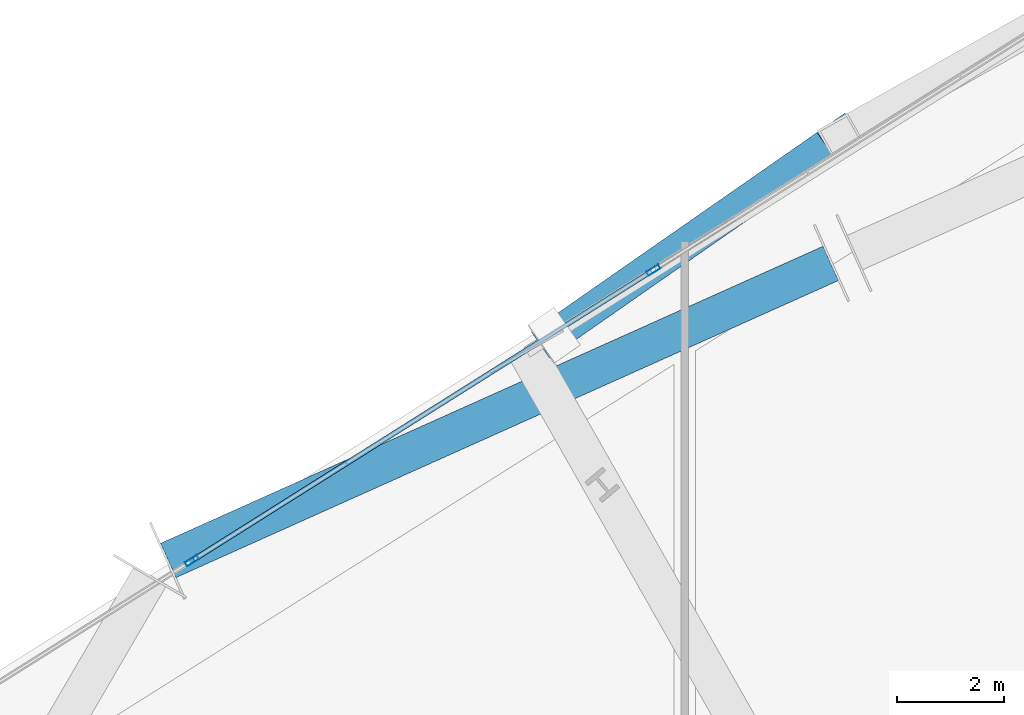
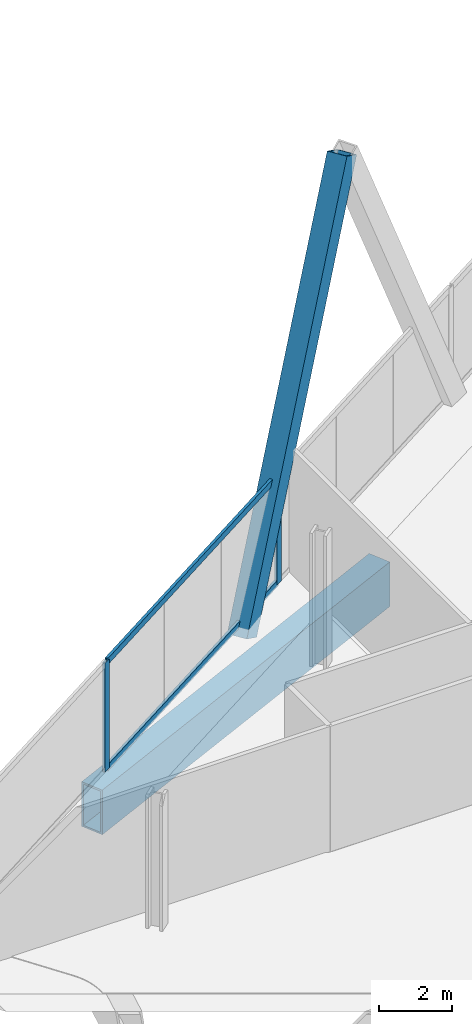
# One storey, part 12 of 29: 5 members, 1 beam, 1 element without a shape of its own.
"""IFC4 building model written with IfcOpenShell, lengths in metres."""

from ifc_helpers import new_model, si_unit, direction, frame, origin, origin_2d, place, context, subcontext, project, spatial, hollow_rectangle, extrude, material, material_profile, profile_set, type_object, element, aggregate, save


model = new_model("IFC4")

# Units and contexts
model_context = context("Model", 3, precision=1e-05, world=origin(), true_north=direction((0.0, 1.0)))
body_context = subcontext(model_context, "Body", "Model", "MODEL_VIEW")
ifc_project = project(units=[si_unit("LENGTHUNIT", "METRE"), si_unit("AREAUNIT", "SQUARE_METRE"), si_unit("VOLUMEUNIT", "CUBIC_METRE"), si_unit("PLANEANGLEUNIT", "RADIAN"), si_unit("MASSUNIT", "GRAM", prefix="KILO")], contexts=[model_context])

# Site, building, storey
site_placement = place(None, origin())
site = spatial("IfcSite", under=ifc_project, at=site_placement, CompositionType="ELEMENT")
building_placement = place(site_placement, origin())
building = spatial("IfcBuilding", under=site, at=building_placement, Name="Haldenkirk Collegiate Tower", CompositionType="ELEMENT")
storey_placement = place(building_placement, frame((0.0, 0.0, 136.199951171875)))
storey = spatial("IfcBuildingStorey", under=building, at=storey_placement, Name="L33", CompositionType="ELEMENT", Elevation=136.199951171875)

# Beam
ifc_material_1 = material(Name="Steel ASTM A572 Grade 50", Category="steel")
ifc_material_profile_1 = material_profile(ifc_material_1, hollow_rectangle(XDim=0.699951171875, YDim=1.5, WallThickness=0.06005859375, at=origin_2d()), Name="BOX1500X700X60")
ifc_profile_set_1 = profile_set([ifc_material_profile_1], Name="Steel ASTM A572 Grade 50")
beam_type = type_object("IfcBeamType", Name="BM-TRANSFER-BOX1500X700X60", PredefinedType="BEAM", material=ifc_profile_set_1)
beam_placement = place(storey_placement, frame((26.7138671875, 46.111083984375, -1.14990234375), z_axis=(-0.912476765144, -0.409128528793, 0.0), x_axis=(0.409128528793, -0.912476765144, 0.0)))
element("IfcBeam", 1, at=beam_placement, inside=storey, type_object=beam_type, Name="L33 sky-lobby perimeter transfer girder 11", PredefinedType="BEAM", context=body_context, shape_type="SweptSolid", body=[
    extrude(hollow_rectangle(XDim=0.699951171875, YDim=1.5, WallThickness=0.06005859375, at=origin_2d()), origin(), (0.0, 0.0, 1.0), 13.512939453125),
])

# Curtain wall, members
ifc_material_2 = material(Name="Anodised architectural bronze aluminium", Category="aluminium")
curtain_wall_type = type_object("IfcCurtainWallType", Name="CW-SYS4-SKYGARDEN", PredefinedType="USERDEFINED", material=ifc_material_2)
curtain_wall_placement = place(storey_placement, origin())
curtain_wall = element("IfcCurtainWall", 2, at=curtain_wall_placement, inside=storey, type_object=curtain_wall_type, Name="L33 Sky-garden tall bronze curtain wall", ObjectType="UNITISED CURTAIN WALL", PredefinedType="USERDEFINED")
ifc_material_profile_2 = material_profile(ifc_material_2, hollow_rectangle(XDim=0.090087890625, YDim=0.260009765625, WallThickness=0.0048828125, at=origin_2d()), Name="CW-MUL-04")
ifc_profile_set_2 = profile_set([ifc_material_profile_2], Name="Anodised architectural bronze aluminium")
member_type_1 = type_object("IfcMemberType", Name="CW-MUL-04", PredefinedType="MULLION", material=ifc_profile_set_2)
member_1_placement = place(storey_placement, frame((14.824462890625, 40.578369140625, 0.0), z_axis=(0.0, 0.0, 1.0), x_axis=(-0.532877157609, 0.846192610993, 0.0)))
member_1 = element("IfcMember", 3, at=member_1_placement, type_object=member_type_1, Name="CW-04 mullion 2", PredefinedType="MULLION", context=body_context, shape_type="SweptSolid", body=[
    extrude(hollow_rectangle(XDim=0.090087890625, YDim=0.260009765625, WallThickness=0.0048828125, at=origin_2d()), origin(), (0.0, 0.0, 1.0), 3.6611328125),
])
member_2_placement = place(storey_placement, frame((23.413330078125, 45.987060546875, 0.0), z_axis=(0.0, 0.0, 1.0), x_axis=(-0.532877157609, 0.846192610993, 0.0)))
member_2 = element("IfcMember", 4, at=member_2_placement, type_object=member_type_1, Name="CW-04 mullion 3", PredefinedType="MULLION", context=body_context, shape_type="SweptSolid", body=[
    extrude(hollow_rectangle(XDim=0.090087890625, YDim=0.260009765625, WallThickness=0.0048828125, at=origin_2d()), origin(), (0.0, 0.0, 1.0), 3.6611328125),
])
ifc_material_profile_3 = material_profile(ifc_material_2, hollow_rectangle(XDim=0.090087890625, YDim=0.2099609375, WallThickness=0.0048828125, at=origin_2d()), Name="CW-TRN-04")
ifc_profile_set_3 = profile_set([ifc_material_profile_3], Name="Anodised architectural bronze aluminium")
member_type_2 = type_object("IfcMemberType", Name="CW-TRN-04", PredefinedType="USERDEFINED", material=ifc_profile_set_3)
member_3_placement = place(storey_placement, frame((14.862548828125, 40.602294921875, 0.045166015625), z_axis=(0.846188257772, 0.532884070327, 0.0), x_axis=(-0.532884070327, 0.846188257772, 0.0)))
member_3 = element("IfcMember", 5, at=member_3_placement, type_object=member_type_2, Name="CW-04 transom 2.1", ObjectType="TRANSOM", PredefinedType="USERDEFINED", context=body_context, shape_type="SweptSolid", body=[
    extrude(hollow_rectangle(XDim=0.090087890625, YDim=0.2099609375, WallThickness=0.0048828125, at=origin_2d()), origin(), (0.0, 0.0, 1.0), 10.06005859375),
])
member_4_placement = place(storey_placement, frame((14.862548828125, 40.602294921875, 3.615966796875), z_axis=(0.846188257772, 0.532884070327, 0.0), x_axis=(-0.532884070327, 0.846188257772, 0.0)))
member_4 = element("IfcMember", 6, at=member_4_placement, type_object=member_type_2, Name="CW-04 transom 2.2", ObjectType="TRANSOM", PredefinedType="USERDEFINED", context=body_context, shape_type="SweptSolid", body=[
    extrude(hollow_rectangle(XDim=0.090087890625, YDim=0.2099609375, WallThickness=0.0048828125, at=origin_2d()), origin(), (0.0, 0.0, 1.0), 10.06005859375),
])
aggregate(curtain_wall, [member_1, member_2, member_3, member_4])

# Member
ifc_material_profile_4 = material_profile(ifc_material_1, hollow_rectangle(XDim=0.60009765625, YDim=0.719970703125, WallThickness=0.044921875, at=origin_2d()), Name="BOX720X600X45")
ifc_profile_set_4 = profile_set([ifc_material_profile_4], Name="Steel ASTM A572 Grade 50")
member_type_3 = type_object("IfcMemberType", Name="MBR-MEGABRACE-BOX720X600X45", PredefinedType="BRACE", material=ifc_profile_set_4)
member_5_placement = place(storey_placement, frame((21.569580078125, 44.778564453125, -0.409912109375), z_axis=(0.387374645625, 0.269790196393, 0.881563459915), x_axis=(-0.571510051725, 0.820595065046, 0.0)))
element("IfcMember", 7, at=member_5_placement, inside=storey, type_object=member_type_3, Name="Perimeter Mega Brace Z3 L33-L35 NR", PredefinedType="BRACE", context=body_context, shape_type="SweptSolid", body=[
    extrude(hollow_rectangle(XDim=0.60009765625, YDim=0.719970703125, WallThickness=0.044921875, at=origin_2d()), origin(), (0.0, 0.0, 1.0), 13.73681640625),
])

save(model, "model.ifc")
